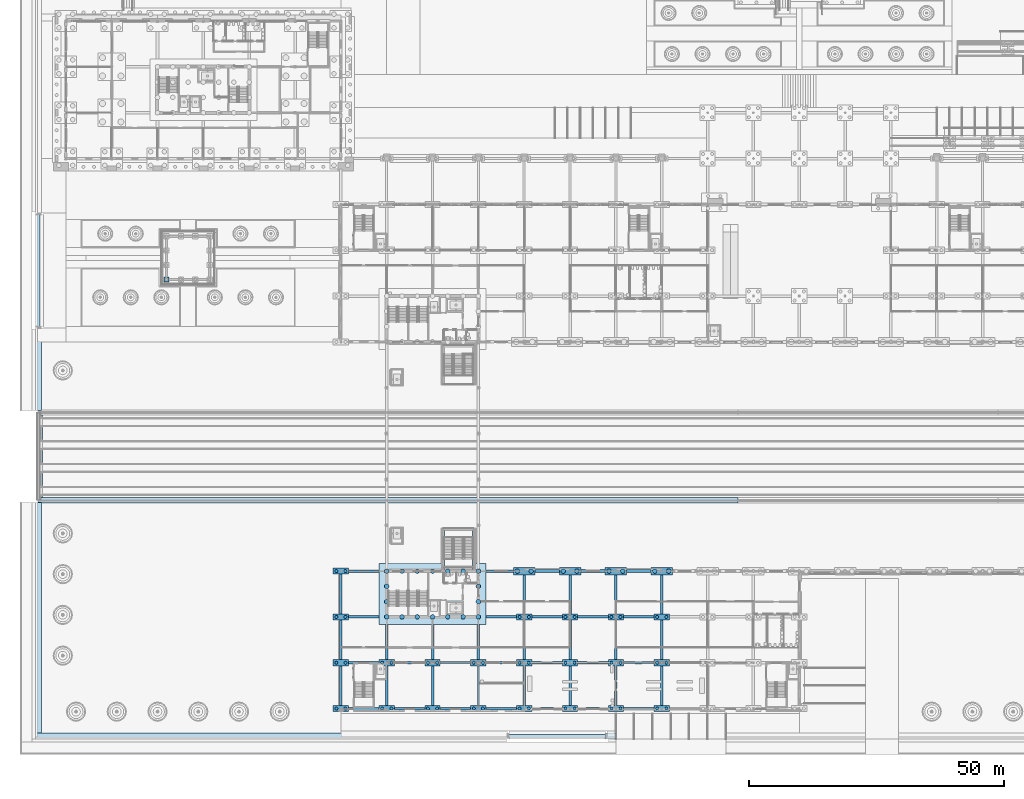
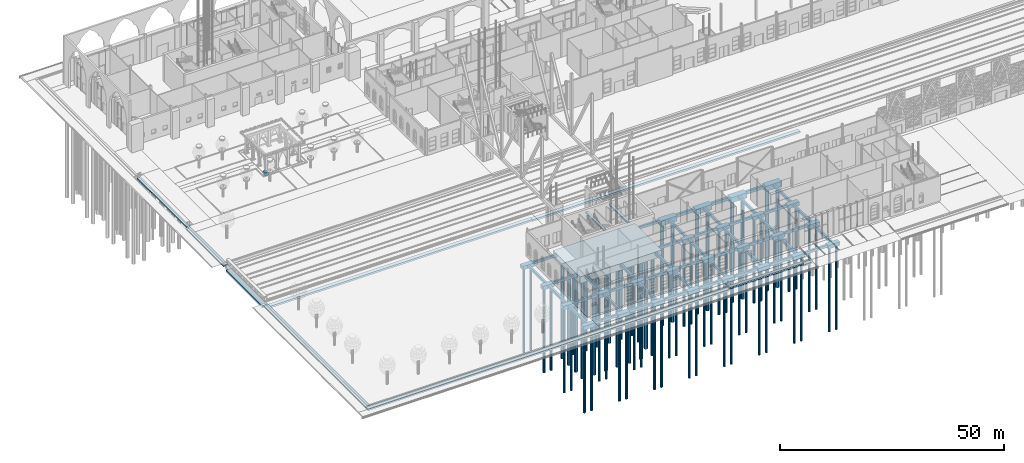
# One storey, part 1 of 250: 85 footings, 70 piles.
"""IFC4 building model written with IfcOpenShell, lengths in metres."""

from ifc_helpers import new_model, si_unit, direction, frame, origin, origin_2d, place, context, subcontext, project, spatial, polyline, rectangle, circle, outline, extrude, material, type_object, element, save


model = new_model("IFC4")

# Units and contexts
model_context = context("Model", 3, precision=1e-05, world=origin(), true_north=direction((0.0, 1.0)))
body_context = subcontext(model_context, "Body", "Model", "MODEL_VIEW")
ifc_project = project(units=[si_unit("LENGTHUNIT", "METRE"), si_unit("AREAUNIT", "SQUARE_METRE"), si_unit("VOLUMEUNIT", "CUBIC_METRE"), si_unit("PLANEANGLEUNIT", "RADIAN"), si_unit("MASSUNIT", "GRAM", prefix="KILO")], contexts=[model_context])

# Site, building, storey
site_placement = place(None, origin())
site = spatial("IfcSite", under=ifc_project, at=site_placement, CompositionType="ELEMENT")
building_placement = place(site_placement, origin())
building = spatial("IfcBuilding", under=site, at=building_placement, Name="Baradari Gate Terminus", CompositionType="ELEMENT")
storey_placement = place(building_placement, origin())
storey = spatial("IfcBuildingStorey", under=building, at=storey_placement, Name="L00", CompositionType="ELEMENT", Elevation=0.0)

# Piles
ifc_material_1 = material(Name="Concrete C32/40", Category="concrete")
pile_type_1 = type_object("IfcPileType", Name="Bored pile BP1 D900", PredefinedType="BORED", material=ifc_material_1)
for number, where, z_axis, x_axis, name in (
    (1, (72.0, 27.0, -3.800048828125), (0.0, 0.0, -1.0), (1.0, 0.0, 0.0), "Bored pile BP1 under abutment core GS (1)"),
    (2, (72.0, 36.0, -3.800048828125), (0.0, 0.0, -1.0), (1.0, 0.0, 0.0), "Bored pile BP1 under abutment core GS (2)"),
    (3, (75.0, 27.0, -3.800048828125), (0.0, 0.0, -1.0), (1.0, 0.0, 0.0), "Bored pile BP1 under abutment core GS (3)"),
    (4, (75.0, 36.0, -3.800048828125), (0.0, 0.0, -1.0), (1.0, 0.0, 0.0), "Bored pile BP1 under abutment core GS (4)"),
    (5, (78.0, 27.0, -3.800048828125), (0.0, 0.0, -1.0), (1.0, 0.0, 0.0), "Bored pile BP1 under abutment core GS (5)"),
    (6, (78.0, 36.0, -3.800048828125), (0.0, 0.0, -1.0), (1.0, 0.0, 0.0), "Bored pile BP1 under abutment core GS (6)"),
    (7, (81.0, 27.0, -3.800048828125), (0.0, 0.0, -1.0), (1.0, 0.0, 0.0), "Bored pile BP1 under abutment core GS (7)"),
    (8, (81.0, 36.0, -3.800048828125), (0.0, 0.0, -1.0), (1.0, 0.0, 0.0), "Bored pile BP1 under abutment core GS (8)"),
    (9, (84.0, 27.0, -3.800048828125), (0.0, 0.0, -1.0), (1.0, 0.0, 0.0), "Bored pile BP1 under abutment core GS (9)"),
    (10, (84.0, 36.0, -3.800048828125), (0.0, 0.0, -1.0), (1.0, 0.0, 0.0), "Bored pile BP1 under abutment core GS (10)"),
    (11, (87.0, 27.0, -3.800048828125), (0.0, 0.0, -1.0), (1.0, 0.0, 0.0), "Bored pile BP1 under abutment core GS (11)"),
    (12, (87.0, 36.0, -3.800048828125), (0.0, 0.0, -1.0), (1.0, 0.0, 0.0), "Bored pile BP1 under abutment core GS (12)"),
    (13, (90.0, 27.0, -3.800048828125), (0.0, 0.0, -1.0), (1.0, 0.0, 0.0), "Bored pile BP1 under abutment core GS (13)"),
    (14, (90.0, 36.0, -3.800048828125), (0.0, 0.0, -1.0), (1.0, 0.0, 0.0), "Bored pile BP1 under abutment core GS (14)"),
    (15, (72.0, 30.0, -3.800048828125), (0.0, 0.0, -1.0), (1.0, 0.0, 0.0), "Bored pile BP1 under abutment core GS (15)"),
    (16, (72.0, 33.0, -3.800048828125), (0.0, 0.0, -1.0), (1.0, 0.0, 0.0), "Bored pile BP1 under abutment core GS (16)"),
    (17, (90.0, 30.0, -3.800048828125), (0.0, 0.0, -1.0), (1.0, 0.0, 0.0), "Bored pile BP1 under abutment core GS (17)"),
    (18, (90.0, 33.0, -3.800048828125), (0.0, 0.0, -1.0), (1.0, 0.0, 0.0), "Bored pile BP1 under abutment core GS (18)"),
):
    element("IfcPile", number, at=place(storey_placement, frame(where, z_axis=z_axis, x_axis=x_axis)), inside=storey, type_object=pile_type_1, Name=name, PredefinedType="BORED", context=body_context, shape_type="SweptSolid", body=[
        extrude(circle(Radius=0.449951171875, at=origin_2d()), origin(), (0.0, 0.0, 1.0), 27.199951171875),
    ])
for number, where, z_axis, x_axis, name in (
    (19, (97.64990234375, 36.0, -3.39990234375), (0.0, 0.0, -1.0), (1.0, 0.0, 0.0), "Bored pile BP1 at 12-E (1)"),
    (20, (100.35009765625, 36.0, -3.39990234375), (0.0, 0.0, -1.0), (1.0, 0.0, 0.0), "Bored pile BP1 at 12-E (2)"),
    (21, (106.64990234375, 36.0, -3.39990234375), (0.0, 0.0, -1.0), (1.0, 0.0, 0.0), "Bored pile BP1 at 13-E (1)"),
    (22, (109.35009765625, 36.0, -3.39990234375), (0.0, 0.0, -1.0), (1.0, 0.0, 0.0), "Bored pile BP1 at 13-E (2)"),
    (23, (115.64990234375, 36.0, -3.39990234375), (0.0, 0.0, -1.0), (1.0, 0.0, 0.0), "Bored pile BP1 at 14-E (1)"),
    (24, (118.35009765625, 36.0, -3.39990234375), (0.0, 0.0, -1.0), (1.0, 0.0, 0.0), "Bored pile BP1 at 14-E (2)"),
    (25, (124.64990234375, 36.0, -3.39990234375), (0.0, 0.0, -1.0), (1.0, 0.0, 0.0), "Bored pile BP1 at 15-E (1)"),
    (26, (127.35009765625, 36.0, -3.39990234375), (0.0, 0.0, -1.0), (1.0, 0.0, 0.0), "Bored pile BP1 at 15-E (2)"),
):
    element("IfcPile", number, at=place(storey_placement, frame(where, z_axis=z_axis, x_axis=x_axis)), inside=storey, type_object=pile_type_1, Name=name, PredefinedType="BORED", context=body_context, shape_type="SweptSolid", body=[
        extrude(circle(Radius=0.449951171875, at=origin_2d()), origin(), (0.0, 0.0, 1.0), 27.60009765625),
    ])
ifc_material_2 = material(Name="Concrete C32/40", Category="concrete")
pile_type_2 = type_object("IfcPileType", Name="Bored pile BP2 D600", PredefinedType="BORED", material=ifc_material_2)
for number, where, z_axis, x_axis, name in (
    (27, (62.10009765625, 9.0, -3.0), (0.0, 0.0, -1.0), (1.0, 0.0, 0.0), "Bored pile BP2 at 8-B (1)"),
    (28, (63.89990234375, 9.0, -3.0), (0.0, 0.0, -1.0), (1.0, 0.0, 0.0), "Bored pile BP2 at 8-B (2)"),
    (29, (62.10009765625, 18.0, -3.0), (0.0, 0.0, -1.0), (1.0, 0.0, 0.0), "Bored pile BP2 at 8-C (1)"),
    (30, (63.89990234375, 18.0, -3.0), (0.0, 0.0, -1.0), (1.0, 0.0, 0.0), "Bored pile BP2 at 8-C (2)"),
    (31, (62.10009765625, 27.0, -3.0), (0.0, 0.0, -1.0), (1.0, 0.0, 0.0), "Bored pile BP2 at 8-D (1)"),
    (32, (63.89990234375, 27.0, -3.0), (0.0, 0.0, -1.0), (1.0, 0.0, 0.0), "Bored pile BP2 at 8-D (2)"),
    (33, (62.10009765625, 36.0, -3.0), (0.0, 0.0, -1.0), (1.0, 0.0, 0.0), "Bored pile BP2 at 8-E (1)"),
    (34, (63.89990234375, 36.0, -3.0), (0.0, 0.0, -1.0), (1.0, 0.0, 0.0), "Bored pile BP2 at 8-E (2)"),
    (35, (71.10009765625, 9.0, -3.0), (0.0, 0.0, -1.0), (1.0, 0.0, 0.0), "Bored pile BP2 at 9-B (1)"),
    (36, (72.89990234375, 9.0, -3.0), (0.0, 0.0, -1.0), (1.0, 0.0, 0.0), "Bored pile BP2 at 9-B (2)"),
    (37, (71.10009765625, 18.0, -3.0), (0.0, 0.0, -1.0), (1.0, 0.0, 0.0), "Bored pile BP2 at 9-C (1)"),
    (38, (72.89990234375, 18.0, -3.0), (0.0, 0.0, -1.0), (1.0, 0.0, 0.0), "Bored pile BP2 at 9-C (2)"),
    (39, (80.10009765625, 9.0, -3.0), (0.0, 0.0, -1.0), (1.0, 0.0, 0.0), "Bored pile BP2 at 10-B (1)"),
    (40, (81.89990234375, 9.0, -3.0), (0.0, 0.0, -1.0), (1.0, 0.0, 0.0), "Bored pile BP2 at 10-B (2)"),
    (41, (80.10009765625, 18.0, -3.0), (0.0, 0.0, -1.0), (1.0, 0.0, 0.0), "Bored pile BP2 at 10-C (1)"),
    (42, (81.89990234375, 18.0, -3.0), (0.0, 0.0, -1.0), (1.0, 0.0, 0.0), "Bored pile BP2 at 10-C (2)"),
    (43, (89.10009765625, 9.0, -3.0), (0.0, 0.0, -1.0), (1.0, 0.0, 0.0), "Bored pile BP2 at 11-B (1)"),
    (44, (90.89990234375, 9.0, -3.0), (0.0, 0.0, -1.0), (1.0, 0.0, 0.0), "Bored pile BP2 at 11-B (2)"),
    (45, (89.10009765625, 18.0, -3.0), (0.0, 0.0, -1.0), (1.0, 0.0, 0.0), "Bored pile BP2 at 11-C (1)"),
    (46, (90.89990234375, 18.0, -3.0), (0.0, 0.0, -1.0), (1.0, 0.0, 0.0), "Bored pile BP2 at 11-C (2)"),
    (47, (98.10009765625, 9.0, -3.0), (0.0, 0.0, -1.0), (1.0, 0.0, 0.0), "Bored pile BP2 at 12-B (1)"),
    (48, (99.89990234375, 9.0, -3.0), (0.0, 0.0, -1.0), (1.0, 0.0, 0.0), "Bored pile BP2 at 12-B (2)"),
    (49, (98.10009765625, 18.0, -3.0), (0.0, 0.0, -1.0), (1.0, 0.0, 0.0), "Bored pile BP2 at 12-C (1)"),
    (50, (99.89990234375, 18.0, -3.0), (0.0, 0.0, -1.0), (1.0, 0.0, 0.0), "Bored pile BP2 at 12-C (2)"),
    (51, (98.10009765625, 27.0, -3.0), (0.0, 0.0, -1.0), (1.0, 0.0, 0.0), "Bored pile BP2 at 12-D (1)"),
    (52, (99.89990234375, 27.0, -3.0), (0.0, 0.0, -1.0), (1.0, 0.0, 0.0), "Bored pile BP2 at 12-D (2)"),
    (53, (107.10009765625, 9.0, -3.0), (0.0, 0.0, -1.0), (1.0, 0.0, 0.0), "Bored pile BP2 at 13-B (1)"),
    (54, (108.89990234375, 9.0, -3.0), (0.0, 0.0, -1.0), (1.0, 0.0, 0.0), "Bored pile BP2 at 13-B (2)"),
    (55, (107.10009765625, 18.0, -3.0), (0.0, 0.0, -1.0), (1.0, 0.0, 0.0), "Bored pile BP2 at 13-C (1)"),
    (56, (108.89990234375, 18.0, -3.0), (0.0, 0.0, -1.0), (1.0, 0.0, 0.0), "Bored pile BP2 at 13-C (2)"),
    (57, (107.10009765625, 27.0, -3.0), (0.0, 0.0, -1.0), (1.0, 0.0, 0.0), "Bored pile BP2 at 13-D (1)"),
    (58, (108.89990234375, 27.0, -3.0), (0.0, 0.0, -1.0), (1.0, 0.0, 0.0), "Bored pile BP2 at 13-D (2)"),
    (59, (116.10009765625, 9.0, -3.0), (0.0, 0.0, -1.0), (1.0, 0.0, 0.0), "Bored pile BP2 at 14-B (1)"),
    (60, (117.89990234375, 9.0, -3.0), (0.0, 0.0, -1.0), (1.0, 0.0, 0.0), "Bored pile BP2 at 14-B (2)"),
    (61, (116.10009765625, 18.0, -3.0), (0.0, 0.0, -1.0), (1.0, 0.0, 0.0), "Bored pile BP2 at 14-C (1)"),
    (62, (117.89990234375, 18.0, -3.0), (0.0, 0.0, -1.0), (1.0, 0.0, 0.0), "Bored pile BP2 at 14-C (2)"),
    (63, (116.10009765625, 27.0, -3.0), (0.0, 0.0, -1.0), (1.0, 0.0, 0.0), "Bored pile BP2 at 14-D (1)"),
    (64, (117.89990234375, 27.0, -3.0), (0.0, 0.0, -1.0), (1.0, 0.0, 0.0), "Bored pile BP2 at 14-D (2)"),
    (65, (125.10009765625, 9.0, -3.0), (0.0, 0.0, -1.0), (1.0, 0.0, 0.0), "Bored pile BP2 at 15-B (1)"),
    (66, (126.89990234375, 9.0, -3.0), (0.0, 0.0, -1.0), (1.0, 0.0, 0.0), "Bored pile BP2 at 15-B (2)"),
    (67, (125.10009765625, 18.0, -3.0), (0.0, 0.0, -1.0), (1.0, 0.0, 0.0), "Bored pile BP2 at 15-C (1)"),
    (68, (126.89990234375, 18.0, -3.0), (0.0, 0.0, -1.0), (1.0, 0.0, 0.0), "Bored pile BP2 at 15-C (2)"),
    (69, (125.10009765625, 27.0, -3.0), (0.0, 0.0, -1.0), (1.0, 0.0, 0.0), "Bored pile BP2 at 15-D (1)"),
    (70, (126.89990234375, 27.0, -3.0), (0.0, 0.0, -1.0), (1.0, 0.0, 0.0), "Bored pile BP2 at 15-D (2)"),
):
    element("IfcPile", number, at=place(storey_placement, frame(where, z_axis=z_axis, x_axis=x_axis)), inside=storey, type_object=pile_type_2, Name=name, PredefinedType="BORED", context=body_context, shape_type="SweptSolid", body=[
        extrude(circle(Radius=0.300048828125, at=origin_2d()), origin(), (0.0, 0.0, 1.0), 23.0),
    ])

# Footings
ifc_material_3 = material(Name="Concrete C32/40", Category="concrete")
footing_type_1 = type_object("IfcFootingType", Name="Cheek strip footing SFC-1 900x400", PredefinedType="STRIP_FOOTING", material=ifc_material_3)
footing_1_placement = place(storey_placement, frame((105.5, 3.449951171875, -0.659912109375), z_axis=(0.0, 0.0, 1.0), x_axis=(1.0, 0.0, 0.0)))
element("IfcFooting", 71, at=footing_1_placement, inside=storey, type_object=footing_type_1, Name="Strip footing under the foot of South entrance gate steps", PredefinedType="STRIP_FOOTING", context=body_context, shape_type="SweptSolid", body=[
    extrude(rectangle(XDim=19.0, YDim=0.89990234375, at=origin_2d()), origin(), (0.0, 0.0, 1.0), 0.39990234375),
])
footing_2_placement = place(storey_placement, frame((3.449951171875, 95.0, -0.659912109375), z_axis=(0.0, 0.0, 1.0), x_axis=(1.0, 0.0, 0.0)))
element("IfcFooting", 72, at=footing_2_placement, inside=storey, type_object=footing_type_1, Name="Strip footing under the foot of West gate steps", PredefinedType="STRIP_FOOTING", context=body_context, shape_type="SweptSolid", body=[
    extrude(rectangle(XDim=0.89990234375, YDim=22.0, at=origin_2d()), origin(), (0.0, 0.0, 1.0), 0.39990234375),
])
ifc_material_4 = material(Name="Concrete C32/40", Category="concrete")
footing_type_2 = type_object("IfcFootingType", Name="Ground beam TG1 500x700", PredefinedType="FOOTING_BEAM", material=ifc_material_4)
for number, where, z_axis, x_axis, name in (
    (73, (67.5, 9.0, -2.7998046875), (0.0, 0.0, 1.0), (1.0, 0.0, 0.0), "Ground beam TG1 line B 64.5 to 70.5"),
    (74, (76.5, 9.0, -2.7998046875), (0.0, 0.0, 1.0), (1.0, 0.0, 0.0), "Ground beam TG1 line B 73.5 to 79.5"),
    (75, (85.5, 9.0, -2.7998046875), (0.0, 0.0, 1.0), (1.0, 0.0, 0.0), "Ground beam TG1 line B 82.5 to 88.5"),
    (76, (94.5, 9.0, -2.7998046875), (0.0, 0.0, 1.0), (1.0, 0.0, 0.0), "Ground beam TG1 line B 91.5 to 97.5"),
    (77, (103.5, 9.0, -2.7998046875), (0.0, 0.0, 1.0), (1.0, 0.0, 0.0), "Ground beam TG1 line B 100.5 to 106.5"),
    (78, (112.5, 9.0, -2.7998046875), (0.0, 0.0, 1.0), (1.0, 0.0, 0.0), "Ground beam TG1 line B 109.5 to 115.5"),
    (79, (121.5, 9.0, -2.7998046875), (0.0, 0.0, 1.0), (1.0, 0.0, 0.0), "Ground beam TG1 line B 118.5 to 124.5"),
    (80, (67.5, 18.0, -2.7998046875), (0.0, 0.0, 1.0), (1.0, 0.0, 0.0), "Ground beam TG1 line C 64.5 to 70.5"),
    (81, (76.5, 18.0, -2.7998046875), (0.0, 0.0, 1.0), (1.0, 0.0, 0.0), "Ground beam TG1 line C 73.5 to 79.5"),
    (82, (85.5, 18.0, -2.7998046875), (0.0, 0.0, 1.0), (1.0, 0.0, 0.0), "Ground beam TG1 line C 82.5 to 88.5"),
    (83, (94.5, 18.0, -2.7998046875), (0.0, 0.0, 1.0), (1.0, 0.0, 0.0), "Ground beam TG1 line C 91.5 to 97.5"),
    (84, (103.5, 18.0, -2.7998046875), (0.0, 0.0, 1.0), (1.0, 0.0, 0.0), "Ground beam TG1 line C 100.5 to 106.5"),
    (85, (112.5, 18.0, -2.7998046875), (0.0, 0.0, 1.0), (1.0, 0.0, 0.0), "Ground beam TG1 line C 109.5 to 115.5"),
    (86, (121.5, 18.0, -2.7998046875), (0.0, 0.0, 1.0), (1.0, 0.0, 0.0), "Ground beam TG1 line C 118.5 to 124.5"),
    (87, (67.5, 27.0, -2.7998046875), (0.0, 0.0, 1.0), (1.0, 0.0, 0.0), "Ground beam TG1 line D 64.5 to 70.5"),
    (88, (94.5, 27.0, -2.7998046875), (0.0, 0.0, 1.0), (1.0, 0.0, 0.0), "Ground beam TG1 line D 91.5 to 97.5"),
    (89, (103.5, 27.0, -2.7998046875), (0.0, 0.0, 1.0), (1.0, 0.0, 0.0), "Ground beam TG1 line D 100.5 to 106.5"),
    (90, (112.5, 27.0, -2.7998046875), (0.0, 0.0, 1.0), (1.0, 0.0, 0.0), "Ground beam TG1 line D 109.5 to 115.5"),
    (91, (121.5, 27.0, -2.7998046875), (0.0, 0.0, 1.0), (1.0, 0.0, 0.0), "Ground beam TG1 line D 118.5 to 124.5"),
    (92, (67.5, 36.0, -2.7998046875), (0.0, 0.0, 1.0), (1.0, 0.0, 0.0), "Ground beam TG1 line E 64.5 to 70.5"),
):
    element("IfcFooting", number, at=place(storey_placement, frame(where, z_axis=z_axis, x_axis=x_axis)), inside=storey, type_object=footing_type_2, Name=name, PredefinedType="FOOTING_BEAM", context=body_context, shape_type="SweptSolid", body=[
        extrude(rectangle(XDim=6.0, YDim=0.5, at=origin_2d()), origin(), (0.0, 0.0, 1.0), 0.699951171875),
    ])
footing_3_placement = place(storey_placement, frame((94.199951171875, 36.0, -2.7998046875), z_axis=(0.0, 0.0, 1.0), x_axis=(1.0, 0.0, 0.0)))
element("IfcFooting", 93, at=footing_3_placement, inside=storey, type_object=footing_type_2, Name="Ground beam TG1 line E 91.5 to 96.9", PredefinedType="FOOTING_BEAM", context=body_context, shape_type="SweptSolid", body=[
    extrude(rectangle(XDim=5.39990234375, YDim=0.5, at=origin_2d()), origin(), (0.0, 0.0, 1.0), 0.699951171875),
])
for number, where, z_axis, x_axis, name in (
    (94, (63.0, 13.5, -2.7998046875), (0.0, 0.0, 1.0), (1.0, 0.0, 0.0), "Ground beam TG1 line 8 9.6 to 17.4"),
    (95, (63.0, 22.5, -2.7998046875), (0.0, 0.0, 1.0), (1.0, 0.0, 0.0), "Ground beam TG1 line 8 18.6 to 26.4"),
    (96, (63.0, 31.5, -2.7998046875), (0.0, 0.0, 1.0), (1.0, 0.0, 0.0), "Ground beam TG1 line 8 27.6 to 35.4"),
    (97, (72.0, 13.5, -2.7998046875), (0.0, 0.0, 1.0), (1.0, 0.0, 0.0), "Ground beam TG1 line 9 9.6 to 17.4"),
):
    element("IfcFooting", number, at=place(storey_placement, frame(where, z_axis=z_axis, x_axis=x_axis)), inside=storey, type_object=footing_type_2, Name=name, PredefinedType="FOOTING_BEAM", context=body_context, shape_type="SweptSolid", body=[
        extrude(rectangle(XDim=0.5, YDim=7.800048828125, at=origin_2d()), origin(), (0.0, 0.0, 1.0), 0.699951171875),
    ])
footing_4_placement = place(storey_placement, frame((72.0, 22.050048828125, -2.7998046875), z_axis=(0.0, 0.0, 1.0), x_axis=(1.0, 0.0, 0.0)))
element("IfcFooting", 98, at=footing_4_placement, inside=storey, type_object=footing_type_2, Name="Ground beam TG1 line 9 18.6 to 25.5", PredefinedType="FOOTING_BEAM", context=body_context, shape_type="SweptSolid", body=[
    extrude(rectangle(XDim=0.5, YDim=6.89990234375, at=origin_2d()), origin(), (0.0, 0.0, 1.0), 0.699951171875),
])
footing_5_placement = place(storey_placement, frame((81.0, 13.5, -2.7998046875), z_axis=(0.0, 0.0, 1.0), x_axis=(1.0, 0.0, 0.0)))
element("IfcFooting", 99, at=footing_5_placement, inside=storey, type_object=footing_type_2, Name="Ground beam TG1 line 10 9.6 to 17.4", PredefinedType="FOOTING_BEAM", context=body_context, shape_type="SweptSolid", body=[
    extrude(rectangle(XDim=0.5, YDim=7.800048828125, at=origin_2d()), origin(), (0.0, 0.0, 1.0), 0.699951171875),
])
footing_6_placement = place(storey_placement, frame((81.0, 22.050048828125, -2.7998046875), z_axis=(0.0, 0.0, 1.0), x_axis=(1.0, 0.0, 0.0)))
element("IfcFooting", 100, at=footing_6_placement, inside=storey, type_object=footing_type_2, Name="Ground beam TG1 line 10 18.6 to 25.5", PredefinedType="FOOTING_BEAM", context=body_context, shape_type="SweptSolid", body=[
    extrude(rectangle(XDim=0.5, YDim=6.89990234375, at=origin_2d()), origin(), (0.0, 0.0, 1.0), 0.699951171875),
])
footing_7_placement = place(storey_placement, frame((90.0, 13.5, -2.7998046875), z_axis=(0.0, 0.0, 1.0), x_axis=(1.0, 0.0, 0.0)))
element("IfcFooting", 101, at=footing_7_placement, inside=storey, type_object=footing_type_2, Name="Ground beam TG1 line 11 9.6 to 17.4", PredefinedType="FOOTING_BEAM", context=body_context, shape_type="SweptSolid", body=[
    extrude(rectangle(XDim=0.5, YDim=7.800048828125, at=origin_2d()), origin(), (0.0, 0.0, 1.0), 0.699951171875),
])
footing_8_placement = place(storey_placement, frame((90.0, 22.050048828125, -2.7998046875), z_axis=(0.0, 0.0, 1.0), x_axis=(1.0, 0.0, 0.0)))
element("IfcFooting", 102, at=footing_8_placement, inside=storey, type_object=footing_type_2, Name="Ground beam TG1 line 11 18.6 to 25.5", PredefinedType="FOOTING_BEAM", context=body_context, shape_type="SweptSolid", body=[
    extrude(rectangle(XDim=0.5, YDim=6.89990234375, at=origin_2d()), origin(), (0.0, 0.0, 1.0), 0.699951171875),
])
for number, where, z_axis, x_axis, name in (
    (103, (99.0, 13.5, -2.7998046875), (0.0, 0.0, 1.0), (1.0, 0.0, 0.0), "Ground beam TG1 line 12 9.6 to 17.4"),
    (104, (99.0, 22.5, -2.7998046875), (0.0, 0.0, 1.0), (1.0, 0.0, 0.0), "Ground beam TG1 line 12 18.6 to 26.4"),
):
    element("IfcFooting", number, at=place(storey_placement, frame(where, z_axis=z_axis, x_axis=x_axis)), inside=storey, type_object=footing_type_2, Name=name, PredefinedType="FOOTING_BEAM", context=body_context, shape_type="SweptSolid", body=[
        extrude(rectangle(XDim=0.5, YDim=7.800048828125, at=origin_2d()), origin(), (0.0, 0.0, 1.0), 0.699951171875),
    ])
footing_9_placement = place(storey_placement, frame((99.0, 31.425048828125, -2.7998046875), z_axis=(0.0, 0.0, 1.0), x_axis=(1.0, 0.0, 0.0)))
element("IfcFooting", 105, at=footing_9_placement, inside=storey, type_object=footing_type_2, Name="Ground beam TG1 line 12 27.6 to 35.25", PredefinedType="FOOTING_BEAM", context=body_context, shape_type="SweptSolid", body=[
    extrude(rectangle(XDim=0.5, YDim=7.64990234375, at=origin_2d()), origin(), (0.0, 0.0, 1.0), 0.699951171875),
])
for number, where, z_axis, x_axis, name in (
    (106, (108.0, 13.5, -2.7998046875), (0.0, 0.0, 1.0), (1.0, 0.0, 0.0), "Ground beam TG1 line 13 9.6 to 17.4"),
    (107, (108.0, 22.5, -2.7998046875), (0.0, 0.0, 1.0), (1.0, 0.0, 0.0), "Ground beam TG1 line 13 18.6 to 26.4"),
):
    element("IfcFooting", number, at=place(storey_placement, frame(where, z_axis=z_axis, x_axis=x_axis)), inside=storey, type_object=footing_type_2, Name=name, PredefinedType="FOOTING_BEAM", context=body_context, shape_type="SweptSolid", body=[
        extrude(rectangle(XDim=0.5, YDim=7.800048828125, at=origin_2d()), origin(), (0.0, 0.0, 1.0), 0.699951171875),
    ])
footing_10_placement = place(storey_placement, frame((108.0, 31.425048828125, -2.7998046875), z_axis=(0.0, 0.0, 1.0), x_axis=(1.0, 0.0, 0.0)))
element("IfcFooting", 108, at=footing_10_placement, inside=storey, type_object=footing_type_2, Name="Ground beam TG1 line 13 27.6 to 35.25", PredefinedType="FOOTING_BEAM", context=body_context, shape_type="SweptSolid", body=[
    extrude(rectangle(XDim=0.5, YDim=7.64990234375, at=origin_2d()), origin(), (0.0, 0.0, 1.0), 0.699951171875),
])
for number, where, z_axis, x_axis, name in (
    (109, (117.0, 13.5, -2.7998046875), (0.0, 0.0, 1.0), (1.0, 0.0, 0.0), "Ground beam TG1 line 14 9.6 to 17.4"),
    (110, (117.0, 22.5, -2.7998046875), (0.0, 0.0, 1.0), (1.0, 0.0, 0.0), "Ground beam TG1 line 14 18.6 to 26.4"),
):
    element("IfcFooting", number, at=place(storey_placement, frame(where, z_axis=z_axis, x_axis=x_axis)), inside=storey, type_object=footing_type_2, Name=name, PredefinedType="FOOTING_BEAM", context=body_context, shape_type="SweptSolid", body=[
        extrude(rectangle(XDim=0.5, YDim=7.800048828125, at=origin_2d()), origin(), (0.0, 0.0, 1.0), 0.699951171875),
    ])
footing_11_placement = place(storey_placement, frame((117.0, 31.425048828125, -2.7998046875), z_axis=(0.0, 0.0, 1.0), x_axis=(1.0, 0.0, 0.0)))
element("IfcFooting", 111, at=footing_11_placement, inside=storey, type_object=footing_type_2, Name="Ground beam TG1 line 14 27.6 to 35.25", PredefinedType="FOOTING_BEAM", context=body_context, shape_type="SweptSolid", body=[
    extrude(rectangle(XDim=0.5, YDim=7.64990234375, at=origin_2d()), origin(), (0.0, 0.0, 1.0), 0.699951171875),
])
for number, where, z_axis, x_axis, name in (
    (112, (126.0, 13.5, -2.7998046875), (0.0, 0.0, 1.0), (1.0, 0.0, 0.0), "Ground beam TG1 line 15 9.6 to 17.4"),
    (113, (126.0, 22.5, -2.7998046875), (0.0, 0.0, 1.0), (1.0, 0.0, 0.0), "Ground beam TG1 line 15 18.6 to 26.4"),
):
    element("IfcFooting", number, at=place(storey_placement, frame(where, z_axis=z_axis, x_axis=x_axis)), inside=storey, type_object=footing_type_2, Name=name, PredefinedType="FOOTING_BEAM", context=body_context, shape_type="SweptSolid", body=[
        extrude(rectangle(XDim=0.5, YDim=7.800048828125, at=origin_2d()), origin(), (0.0, 0.0, 1.0), 0.699951171875),
    ])
footing_12_placement = place(storey_placement, frame((126.0, 31.425048828125, -2.7998046875), z_axis=(0.0, 0.0, 1.0), x_axis=(1.0, 0.0, 0.0)))
element("IfcFooting", 114, at=footing_12_placement, inside=storey, type_object=footing_type_2, Name="Ground beam TG1 line 15 27.6 to 35.25", PredefinedType="FOOTING_BEAM", context=body_context, shape_type="SweptSolid", body=[
    extrude(rectangle(XDim=0.5, YDim=7.64990234375, at=origin_2d()), origin(), (0.0, 0.0, 1.0), 0.699951171875),
])
ifc_material_5 = material(Name="Concrete C32/40", Category="concrete")
footing_type_3 = type_object("IfcFootingType", Name="Ground beam TG3 600x800", PredefinedType="FOOTING_BEAM", material=ifc_material_5)
for number, where, z_axis, x_axis, name in (
    (115, (103.5, 36.0, -2.89990234375), (0.0, 0.0, 1.0), (1.0, 0.0, 0.0), "Ground beam TG3 line E 101.1 to 105.9"),
    (116, (112.5, 36.0, -2.89990234375), (0.0, 0.0, 1.0), (1.0, 0.0, 0.0), "Ground beam TG3 line E 110.1 to 114.9"),
    (117, (121.5, 36.0, -2.89990234375), (0.0, 0.0, 1.0), (1.0, 0.0, 0.0), "Ground beam TG3 line E 119.1 to 123.9"),
):
    element("IfcFooting", number, at=place(storey_placement, frame(where, z_axis=z_axis, x_axis=x_axis)), inside=storey, type_object=footing_type_3, Name=name, PredefinedType="FOOTING_BEAM", context=body_context, shape_type="SweptSolid", body=[
        extrude(rectangle(XDim=4.800048828125, YDim=0.60009765625, at=origin_2d()), origin(), (0.0, 0.0, 1.0), 0.800048828125),
    ])
ifc_material_6 = material(Name="Concrete C32/40", Category="concrete")
footing_type_4 = type_object("IfcFootingType", Name="Kerb strip footing SFK-1 1200x400", PredefinedType="STRIP_FOOTING", material=ifc_material_6)
footing_13_placement = place(storey_placement, frame((49.5, 3.60009765625, -1.199951171875), z_axis=(0.0, 0.0, 1.0), x_axis=(1.0, 0.0, 0.0)))
element("IfcFooting", 118, at=footing_13_placement, inside=storey, type_object=footing_type_4, Name="Strip footing under plinth wall S1", PredefinedType="STRIP_FOOTING", context=body_context, shape_type="SweptSolid", body=[
    extrude(rectangle(XDim=93.0, YDim=1.199951171875, at=origin_2d()), origin(), (0.0, 0.0, 1.0), 0.39990234375),
])
footing_14_placement = place(storey_placement, frame((116.0, 3.60009765625, -1.199951171875), z_axis=(0.0, 0.0, 1.0), x_axis=(1.0, 0.0, 0.0)))
element("IfcFooting", 119, at=footing_14_placement, inside=storey, type_object=footing_type_4, Name="Strip footing under plinth wall S2", PredefinedType="STRIP_FOOTING", context=body_context, shape_type="SweptSolid", body=[
    extrude(rectangle(XDim=2.0, YDim=1.199951171875, at=origin_2d()), origin(), (0.0, 0.0, 1.0), 0.39990234375),
])
footing_15_placement = place(storey_placement, frame((3.60009765625, 26.85009765625, -1.199951171875), z_axis=(0.0, 0.0, 1.0), x_axis=(1.0, 0.0, 0.0)))
element("IfcFooting", 120, at=footing_15_placement, inside=storey, type_object=footing_type_4, Name="Strip footing under plinth wall W1", PredefinedType="STRIP_FOOTING", context=body_context, shape_type="SweptSolid", body=[
    extrude(rectangle(XDim=1.199951171875, YDim=45.300048828125, at=origin_2d()), origin(), (0.0, 0.0, 1.0), 0.39990234375),
])
footing_16_placement = place(storey_placement, frame((3.60009765625, 75.75, -1.199951171875), z_axis=(0.0, 0.0, 1.0), x_axis=(1.0, 0.0, 0.0)))
element("IfcFooting", 121, at=footing_16_placement, inside=storey, type_object=footing_type_4, Name="Strip footing under plinth wall W2", PredefinedType="STRIP_FOOTING", context=body_context, shape_type="SweptSolid", body=[
    extrude(rectangle(XDim=1.199951171875, YDim=16.5, at=origin_2d()), origin(), (0.0, 0.0, 1.0), 0.39990234375),
])
ifc_material_7 = material(Name="Concrete C32/40", Category="concrete")
footing_type_5 = type_object("IfcFootingType", Name="Pile cap PC10 1000x1000x800", PredefinedType="PILE_CAP", material=ifc_material_7)
footing_17_placement = place(storey_placement, frame((28.75, 93.25, -0.64990234375), z_axis=(0.0, 0.0, 1.0), x_axis=(1.0, 0.0, 0.0)))
element("IfcFooting", 122, at=footing_17_placement, inside=storey, type_object=footing_type_5, Name="Pile cap PC10 under court pavilion column 1", PredefinedType="PILE_CAP", context=body_context, shape_type="SweptSolid", body=[
    extrude(rectangle(XDim=1.0, YDim=1.0, at=origin_2d()), origin(), (0.0, 0.0, 1.0), 0.800048828125),
])
ifc_material_8 = material(Name="Concrete C32/40", Category="concrete")
footing_type_6 = type_object("IfcFootingType", Name="Pile cap PC3 4200x1500x1400", PredefinedType="PILE_CAP", material=ifc_material_8)
for number, where, z_axis, x_axis, name in (
    (123, (99.0, 36.0, -3.5), (0.0, 0.0, 1.0), (1.0, 0.0, 0.0), "Pile cap PC3 at 12-E"),
    (124, (108.0, 36.0, -3.5), (0.0, 0.0, 1.0), (1.0, 0.0, 0.0), "Pile cap PC3 at 13-E"),
    (125, (117.0, 36.0, -3.5), (0.0, 0.0, 1.0), (1.0, 0.0, 0.0), "Pile cap PC3 at 14-E"),
    (126, (126.0, 36.0, -3.5), (0.0, 0.0, 1.0), (1.0, 0.0, 0.0), "Pile cap PC3 at 15-E"),
):
    element("IfcFooting", number, at=place(storey_placement, frame(where, z_axis=z_axis, x_axis=x_axis)), inside=storey, type_object=footing_type_6, Name=name, PredefinedType="PILE_CAP", context=body_context, shape_type="SweptSolid", body=[
        extrude(rectangle(XDim=4.199951171875, YDim=1.5, at=origin_2d()), origin(), (0.0, 0.0, 1.0), 1.39990234375),
    ])
ifc_material_9 = material(Name="Concrete C32/40", Category="concrete")
footing_type_7 = type_object("IfcFootingType", Name="Pile cap PC4 3000x1200x1000", PredefinedType="PILE_CAP", material=ifc_material_9)
for number, where, z_axis, x_axis, name in (
    (127, (63.0, 9.0, -3.10009765625), (0.0, 0.0, 1.0), (1.0, 0.0, 0.0), "Pile cap PC4 at 8-B"),
    (128, (63.0, 18.0, -3.10009765625), (0.0, 0.0, 1.0), (1.0, 0.0, 0.0), "Pile cap PC4 at 8-C"),
    (129, (63.0, 27.0, -3.10009765625), (0.0, 0.0, 1.0), (1.0, 0.0, 0.0), "Pile cap PC4 at 8-D"),
    (130, (63.0, 36.0, -3.10009765625), (0.0, 0.0, 1.0), (1.0, 0.0, 0.0), "Pile cap PC4 at 8-E"),
    (131, (72.0, 9.0, -3.10009765625), (0.0, 0.0, 1.0), (1.0, 0.0, 0.0), "Pile cap PC4 at 9-B"),
    (132, (72.0, 18.0, -3.10009765625), (0.0, 0.0, 1.0), (1.0, 0.0, 0.0), "Pile cap PC4 at 9-C"),
    (133, (81.0, 9.0, -3.10009765625), (0.0, 0.0, 1.0), (1.0, 0.0, 0.0), "Pile cap PC4 at 10-B"),
    (134, (81.0, 18.0, -3.10009765625), (0.0, 0.0, 1.0), (1.0, 0.0, 0.0), "Pile cap PC4 at 10-C"),
    (135, (90.0, 9.0, -3.10009765625), (0.0, 0.0, 1.0), (1.0, 0.0, 0.0), "Pile cap PC4 at 11-B"),
    (136, (90.0, 18.0, -3.10009765625), (0.0, 0.0, 1.0), (1.0, 0.0, 0.0), "Pile cap PC4 at 11-C"),
    (137, (99.0, 9.0, -3.10009765625), (0.0, 0.0, 1.0), (1.0, 0.0, 0.0), "Pile cap PC4 at 12-B"),
    (138, (99.0, 18.0, -3.10009765625), (0.0, 0.0, 1.0), (1.0, 0.0, 0.0), "Pile cap PC4 at 12-C"),
    (139, (99.0, 27.0, -3.10009765625), (0.0, 0.0, 1.0), (1.0, 0.0, 0.0), "Pile cap PC4 at 12-D"),
    (140, (108.0, 9.0, -3.10009765625), (0.0, 0.0, 1.0), (1.0, 0.0, 0.0), "Pile cap PC4 at 13-B"),
    (141, (108.0, 18.0, -3.10009765625), (0.0, 0.0, 1.0), (1.0, 0.0, 0.0), "Pile cap PC4 at 13-C"),
    (142, (108.0, 27.0, -3.10009765625), (0.0, 0.0, 1.0), (1.0, 0.0, 0.0), "Pile cap PC4 at 13-D"),
    (143, (117.0, 9.0, -3.10009765625), (0.0, 0.0, 1.0), (1.0, 0.0, 0.0), "Pile cap PC4 at 14-B"),
    (144, (117.0, 18.0, -3.10009765625), (0.0, 0.0, 1.0), (1.0, 0.0, 0.0), "Pile cap PC4 at 14-C"),
    (145, (117.0, 27.0, -3.10009765625), (0.0, 0.0, 1.0), (1.0, 0.0, 0.0), "Pile cap PC4 at 14-D"),
    (146, (126.0, 9.0, -3.10009765625), (0.0, 0.0, 1.0), (1.0, 0.0, 0.0), "Pile cap PC4 at 15-B"),
    (147, (126.0, 18.0, -3.10009765625), (0.0, 0.0, 1.0), (1.0, 0.0, 0.0), "Pile cap PC4 at 15-C"),
    (148, (126.0, 27.0, -3.10009765625), (0.0, 0.0, 1.0), (1.0, 0.0, 0.0), "Pile cap PC4 at 15-D"),
):
    element("IfcFooting", number, at=place(storey_placement, frame(where, z_axis=z_axis, x_axis=x_axis)), inside=storey, type_object=footing_type_7, Name=name, PredefinedType="PILE_CAP", context=body_context, shape_type="SweptSolid", body=[
        extrude(rectangle(XDim=3.0, YDim=1.199951171875, at=origin_2d()), origin(), (0.0, 0.0, 1.0), 1.0),
    ])
ifc_material_10 = material(Name="Concrete C32/40", Category="concrete")
footing_type_8 = type_object("IfcFootingType", Name="Piled raft RF1 1800", PredefinedType="PILE_CAP", material=ifc_material_10)
footing_18_placement = place(storey_placement, frame((0.0, 0.0, -3.89990234375)))
element("IfcFooting", 149, at=footing_18_placement, inside=storey, type_object=footing_type_8, Name="Piled raft under abutment core GS", PredefinedType="PILE_CAP", context=body_context, shape_type="SweptSolid", body=[
    extrude(outline(polyline([(70.5, 25.5), (91.5, 25.5), (91.5, 37.5), (70.5, 37.5), (70.5, 25.5)])), origin(), (0.0, 0.0, 1.0), 1.7998046875),
])
ifc_material_11 = material(Name="Concrete C32/40", Category="concrete")
footing_type_9 = type_object("IfcFootingType", Name="Strip footing SF1 1000x500", PredefinedType="STRIP_FOOTING", material=ifc_material_11)
footing_19_placement = place(storey_placement, frame((81.0, 49.89990234375, -2.072021484375), z_axis=(0.0, 0.0, 1.0), x_axis=(1.0, 0.0, 0.0)))
element("IfcFooting", 150, at=footing_19_placement, inside=storey, type_object=footing_type_9, Name="Strip footing under platform 1 edge wall 1", PredefinedType="STRIP_FOOTING", context=body_context, shape_type="SweptSolid", body=[
    extrude(rectangle(XDim=18.0, YDim=1.0, at=origin_2d()), origin(), (0.0, 0.0, 1.0), 0.5),
])
footing_20_placement = place(storey_placement, frame((115.5, 49.89990234375, -2.072021484375), z_axis=(0.0, 0.0, 1.0), x_axis=(1.0, 0.0, 0.0)))
element("IfcFooting", 151, at=footing_20_placement, inside=storey, type_object=footing_type_9, Name="Strip footing under platform 1 edge wall 2", PredefinedType="STRIP_FOOTING", context=body_context, shape_type="SweptSolid", body=[
    extrude(rectangle(XDim=51.0, YDim=1.0, at=origin_2d()), origin(), (0.0, 0.0, 1.0), 0.5),
])
footing_21_placement = place(storey_placement, frame((37.75, 49.89990234375, -1.971923828125), z_axis=(0.0, 0.0, 1.0), x_axis=(1.0, 0.0, 0.0)))
element("IfcFooting", 152, at=footing_21_placement, inside=storey, type_object=footing_type_9, Name="Strip footing under track wing wall WS", PredefinedType="STRIP_FOOTING", context=body_context, shape_type="SweptSolid", body=[
    extrude(rectangle(XDim=68.5, YDim=1.0, at=origin_2d()), origin(), (0.0, 0.0, 1.0), 0.5),
])
ifc_material_12 = material(Name="Concrete C32/40", Category="concrete")
footing_type_10 = type_object("IfcFootingType", Name="Strip footing SF2 600x500", PredefinedType="STRIP_FOOTING", material=ifc_material_12)
for number, where, z_axis, x_axis, name in (
    (153, (83.050048828125, 40.35009765625, -0.5), (0.0, 0.0, 1.0), (1.0, 0.0, 0.0), "Strip footing under stair PS-1 spine wall W"),
    (154, (89.14990234375, 40.35009765625, -0.5), (0.0, 0.0, 1.0), (1.0, 0.0, 0.0), "Strip footing under stair PS-1 spine wall E"),
):
    element("IfcFooting", number, at=place(storey_placement, frame(where, z_axis=z_axis, x_axis=x_axis)), inside=storey, type_object=footing_type_10, Name=name, PredefinedType="STRIP_FOOTING", context=body_context, shape_type="SweptSolid", body=[
        extrude(rectangle(XDim=0.60009765625, YDim=8.10009765625, at=origin_2d()), origin(), (0.0, 0.0, 1.0), 0.5),
    ])
ifc_material_13 = material(Name="Concrete C32/40", Category="concrete")
footing_type_11 = type_object("IfcFootingType", Name="Strip footing SF4 1300x500", PredefinedType="STRIP_FOOTING", material=ifc_material_13)
footing_22_placement = place(storey_placement, frame((3.75, 58.5, -1.971923828125), z_axis=(0.0, 0.0, 1.0), x_axis=(1.0, 0.0, 0.0)))
element("IfcFooting", 155, at=footing_22_placement, inside=storey, type_object=footing_type_11, Name="Strip footing under track headwall W", PredefinedType="STRIP_FOOTING", context=body_context, shape_type="SweptSolid", body=[
    extrude(rectangle(XDim=1.300048828125, YDim=16.199951171875, at=origin_2d()), origin(), (0.0, 0.0, 1.0), 0.5),
])

save(model, "model.ifc")
